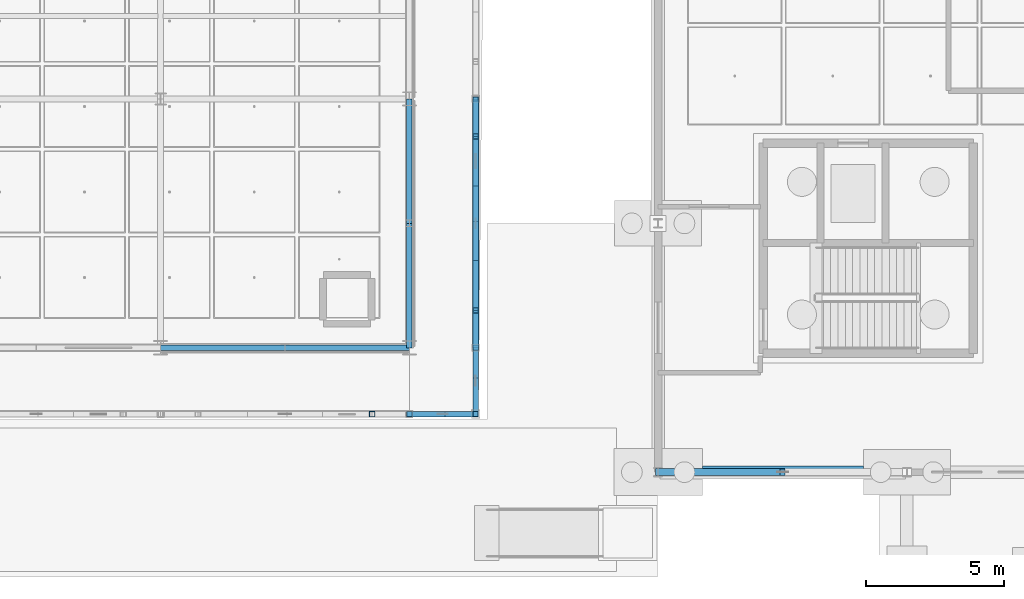
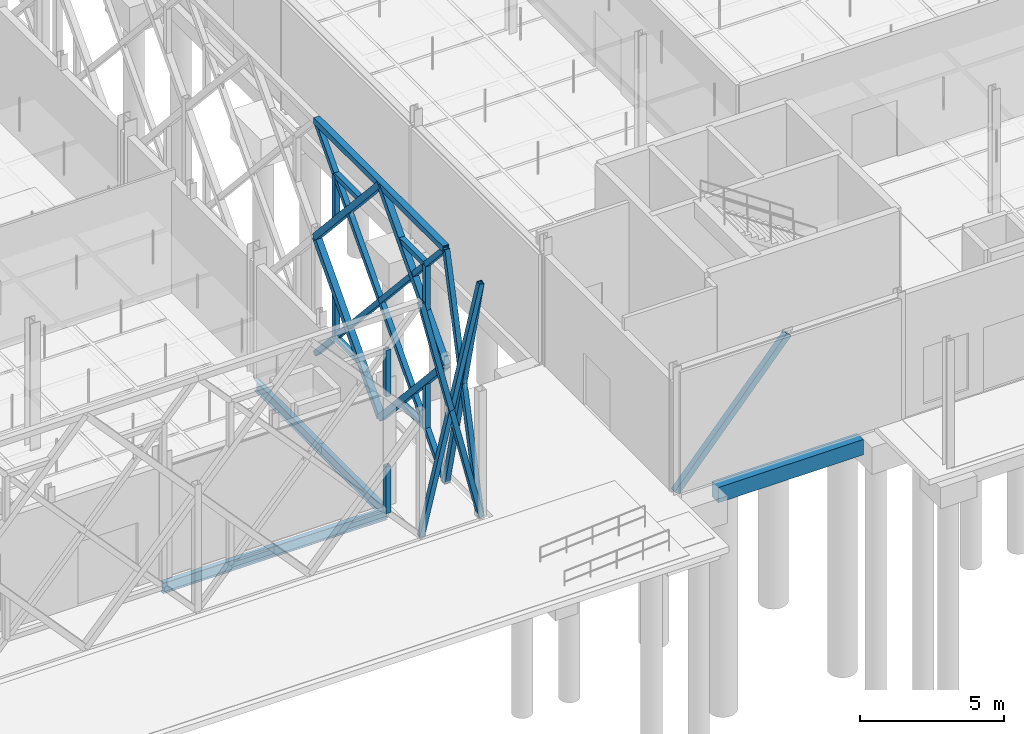
# One storey, part 38 of 180: 29 members, 5 beams.
"""IFC4 building model written with IfcOpenShell, lengths in metres."""

from ifc_helpers import new_model, si_unit, direction, frame, origin, origin_2d, place, context, subcontext, project, spatial, rectangle, hollow_rectangle, i_section, extrude, material, material_profile, profile_set, type_object, element, save


model = new_model("IFC4")

# Units and contexts
model_context = context("Model", 3, precision=1e-05, world=origin(), true_north=direction((0.0, 1.0)))
body_context = subcontext(model_context, "Body", "Model", "MODEL_VIEW")
ifc_project = project(units=[si_unit("LENGTHUNIT", "METRE"), si_unit("AREAUNIT", "SQUARE_METRE"), si_unit("VOLUMEUNIT", "CUBIC_METRE"), si_unit("PLANEANGLEUNIT", "RADIAN"), si_unit("MASSUNIT", "GRAM", prefix="KILO"), si_unit("THERMODYNAMICTEMPERATUREUNIT", "KELVIN"), si_unit("POWERUNIT", "WATT")], contexts=[model_context])

# Site, building, storey
site_placement = place(None, origin())
site = spatial("IfcSite", under=ifc_project, at=site_placement, CompositionType="ELEMENT")
building_placement = place(site_placement, origin())
building = spatial("IfcBuilding", under=site, at=building_placement, Name="Tallowbark Science Centre", CompositionType="ELEMENT")
storey_placement = place(building_placement, origin())
storey = spatial("IfcBuildingStorey", under=building, at=storey_placement, Name="L00", CompositionType="ELEMENT", Elevation=0.0)

# Beam
ifc_material_1 = material(Name="Concrete Grade N40 (40 MPa)", Category="concrete")
ifc_material_profile_1 = material_profile(ifc_material_1, rectangle(XDim=0.449951171875, YDim=0.64990234375, at=origin_2d()), Name="RC450x650")
ifc_profile_set_1 = profile_set([ifc_material_profile_1], Name="Concrete Grade N40 (40 MPa)")
beam_type_1 = type_object("IfcBeamType", Name="BM-GB2-N40", PredefinedType="BEAM", material=ifc_profile_set_1)
beam_placement = place(storey_placement, frame((114.10009765625, 0.0, -0.5849609375), z_axis=(1.0, 0.0, 0.0), x_axis=(0.0, 1.0, 0.0)))
element("IfcBeam", 1, at=beam_placement, inside=storey, type_object=beam_type_1, Name="Ground Tie Beam GBT-X-253", PredefinedType="BEAM", context=body_context, shape_type="SweptSolid", body=[
    extrude(rectangle(XDim=0.449951171875, YDim=0.64990234375, at=origin_2d()), origin(), (0.0, 0.0, 1.0), 5.824951171875),
])

# Members
ifc_material_2 = material(Name="Structural Steel Grade C350L0 (350 MPa)", Category="steel")
ifc_material_profile_2 = material_profile(ifc_material_2, hollow_rectangle(XDim=0.25, YDim=0.25, WallThickness=0.009033203125, at=origin_2d()), Name="250x250x9.0SHS")
ifc_profile_set_2 = profile_set([ifc_material_profile_2], Name="Structural Steel Grade C350L0 (350 MPa)")
member_type_1 = type_object("IfcMemberType", Name="CBF-250SHS", PredefinedType="BRACE", material=ifc_profile_set_2)
member_1_placement = place(storey_placement, frame((112.5, 0.0, 0.0), z_axis=(0.657993936846, 0.0, 0.753023226119), x_axis=(0.0, 1.0, 0.0)))
element("IfcMember", 2, at=member_1_placement, inside=storey, type_object=member_type_1, Name="Concentric Chevron Brace CBF-THT-S1 L00 Left", PredefinedType="BRACE", context=body_context, shape_type="SweptSolid", body=[
    extrude(hollow_rectangle(XDim=0.25, YDim=0.25, WallThickness=0.009033203125, at=origin_2d()), origin(), (0.0, 0.0, 1.0), 6.8388671875),
])
ifc_material_3 = material(Name="White Architectural Painted Steel Grade C350L0 (350 MPa)", Category="steel")
ifc_material_profile_3 = material_profile(ifc_material_3, hollow_rectangle(XDim=0.25, YDim=0.25, WallThickness=0.009033203125, at=origin_2d()), Name="250x250x9.0SHS")
ifc_profile_set_3 = profile_set([ifc_material_profile_3], Name="White Architectural Painted Steel Grade C350L0 (350 MPa)")
member_type_2 = type_object("IfcMemberType", Name="SCR-CHD200", PredefinedType="CHORD", material=ifc_profile_set_3)
member_2_placement = place(storey_placement, frame((105.89990234375, 4.5, 9.89990234375), z_axis=(0.0, 1.0, 0.0), x_axis=(-1.0, 0.0, 0.0)))
element("IfcMember", 3, at=member_2_placement, inside=storey, type_object=member_type_2, Name="Star Screen Frame Chord E-11", PredefinedType="CHORD", context=body_context, shape_type="SweptSolid", body=[
    extrude(hollow_rectangle(XDim=0.25, YDim=0.25, WallThickness=0.009033203125, at=origin_2d()), origin(), (0.0, 0.0, 1.0), 9.0),
])
for number, where, z_axis, x_axis, name in (
    (4, (105.89990234375, 9.0, 0.0), (0.0, 0.672676426978, 0.739936770669), (-1.0, 0.0, 0.0), "Star Screen Octagram Diamond Chord E-11-1"),
    (5, (105.89990234375, 13.5, 4.949951171875), (0.0, -0.672676426978, 0.739936770669), (1.0, 0.0, 0.0), "Star Screen Octagram Diamond Chord E-11-2"),
    (6, (105.89990234375, 9.0, 9.89990234375), (0.0, -0.672676426978, -0.739936770669), (1.0, 0.0, 0.0), "Star Screen Octagram Diamond Chord E-11-3"),
    (7, (105.89990234375, 4.5, 4.949951171875), (0.0, 0.672676426978, -0.739936770669), (-1.0, 0.0, 0.0), "Star Screen Octagram Diamond Chord E-11-4"),
):
    element("IfcMember", number, at=place(storey_placement, frame(where, z_axis=z_axis, x_axis=x_axis)), inside=storey, type_object=member_type_2, Name=name, PredefinedType="CHORD", context=body_context, shape_type="SweptSolid", body=[
        extrude(hollow_rectangle(XDim=0.25, YDim=0.25, WallThickness=0.009033203125, at=origin_2d()), origin(), (0.0, 0.0, 1.0), 6.689697265625),
    ])
ifc_material_profile_4 = material_profile(ifc_material_3, hollow_rectangle(XDim=0.199951171875, YDim=0.199951171875, WallThickness=0.009033203125, at=origin_2d()), Name="200x200x9.0SHS")
ifc_profile_set_4 = profile_set([ifc_material_profile_4], Name="White Architectural Painted Steel Grade C350L0 (350 MPa)")
member_type_3 = type_object("IfcMemberType", Name="SCR-STAR139", PredefinedType="BRACE", material=ifc_profile_set_4)
member_3_placement = place(storey_placement, frame((105.89990234375, 4.5, 0.0), z_axis=(0.0, 0.672658262301, 0.739953283768), x_axis=(-1.0, 0.0, 0.0)))
element("IfcMember", 8, at=member_3_placement, inside=storey, type_object=member_type_3, Name="Star Screen Continuous X-Diagonal D1A E-11", PredefinedType="BRACE", context=body_context, shape_type="SweptSolid", body=[
    extrude(hollow_rectangle(XDim=0.199951171875, YDim=0.199951171875, WallThickness=0.009033203125, at=origin_2d()), origin(), (0.0, 0.0, 1.0), 3.344970703125),
])
member_4_placement = place(storey_placement, frame((105.89990234375, 6.75, 2.47509765625), z_axis=(0.0, 0.672676426978, 0.739936770669), x_axis=(-1.0, 0.0, 0.0)))
element("IfcMember", 9, at=member_4_placement, inside=storey, type_object=member_type_3, Name="Star Screen Continuous X-Diagonal D1M E-11", PredefinedType="BRACE", context=body_context, shape_type="SweptSolid", body=[
    extrude(hollow_rectangle(XDim=0.199951171875, YDim=0.199951171875, WallThickness=0.009033203125, at=origin_2d()), origin(), (0.0, 0.0, 1.0), 6.689697265625),
])
for number, where, z_axis, x_axis, name in (
    (10, (105.89990234375, 11.25, 7.425048828125), (0.0, 0.672694592231, 0.739920256233), (-1.0, 0.0, 0.0), "Star Screen Continuous X-Diagonal D1B E-11"),
    (11, (105.89990234375, 4.5, 9.89990234375), (0.0, 0.672694592231, -0.739920256233), (-1.0, 0.0, 0.0), "Star Screen Split X-Diagonal D2A E-11"),
):
    element("IfcMember", number, at=place(storey_placement, frame(where, z_axis=z_axis, x_axis=x_axis)), inside=storey, type_object=member_type_3, Name=name, PredefinedType="BRACE", context=body_context, shape_type="SweptSolid", body=[
        extrude(hollow_rectangle(XDim=0.199951171875, YDim=0.199951171875, WallThickness=0.009033203125, at=origin_2d()), origin(), (0.0, 0.0, 1.0), 3.3447265625),
    ])
member_5_placement = place(storey_placement, frame((105.89990234375, 6.75, 7.425048828125), z_axis=(0.0, 0.672658262301, -0.739953283768), x_axis=(-1.0, 0.0, 0.0)))
element("IfcMember", 12, at=member_5_placement, inside=storey, type_object=member_type_3, Name="Star Screen Split X-Diagonal D2B E-11", PredefinedType="BRACE", context=body_context, shape_type="SweptSolid", body=[
    extrude(hollow_rectangle(XDim=0.199951171875, YDim=0.199951171875, WallThickness=0.009033203125, at=origin_2d()), origin(), (0.0, 0.0, 1.0), 3.344970703125),
])
member_6_placement = place(storey_placement, frame((105.89990234375, 9.0, 4.949951171875), z_axis=(0.0, 0.672694592231, -0.739920256233), x_axis=(-1.0, 0.0, 0.0)))
element("IfcMember", 13, at=member_6_placement, inside=storey, type_object=member_type_3, Name="Star Screen Split X-Diagonal D2C E-11", PredefinedType="BRACE", context=body_context, shape_type="SweptSolid", body=[
    extrude(hollow_rectangle(XDim=0.199951171875, YDim=0.199951171875, WallThickness=0.009033203125, at=origin_2d()), origin(), (0.0, 0.0, 1.0), 3.3447265625),
])
member_7_placement = place(storey_placement, frame((105.89990234375, 11.25, 2.47509765625), z_axis=(0.0, 0.672658262301, -0.739953283768), x_axis=(-1.0, 0.0, 0.0)))
element("IfcMember", 14, at=member_7_placement, inside=storey, type_object=member_type_3, Name="Star Screen Split X-Diagonal D2D E-11", PredefinedType="BRACE", context=body_context, shape_type="SweptSolid", body=[
    extrude(hollow_rectangle(XDim=0.199951171875, YDim=0.199951171875, WallThickness=0.009033203125, at=origin_2d()), origin(), (0.0, 0.0, 1.0), 3.344970703125),
])
member_8_placement = place(storey_placement, frame((103.5, 2.10009765625, 0.0), z_axis=(0.235593166094, 0.0, 0.971851768579), x_axis=(0.0, 1.0, 0.0)))
element("IfcMember", 15, at=member_8_placement, inside=storey, type_object=member_type_3, Name="Star Screen Corner Continuous Diagonal SEX-L00", PredefinedType="BRACE", context=body_context, shape_type="SweptSolid", body=[
    extrude(hollow_rectangle(XDim=0.199951171875, YDim=0.199951171875, WallThickness=0.009033203125, at=origin_2d()), origin(), (0.0, 0.0, 1.0), 10.1865234375),
])
for number, where, z_axis, x_axis, name in (
    (16, (105.89990234375, 2.10009765625, 0.0), (-0.235593166094, 0.0, 0.971851768579), (0.0, -1.0, 0.0), "Star Screen Corner Split Diagonal A SEX-L00"),
    (17, (104.699951171875, 2.10009765625, 4.949951171875), (-0.235593166094, 0.0, 0.971851768579), (0.0, -1.0, 0.0), "Star Screen Corner Split Diagonal B SEX-L00"),
):
    element("IfcMember", number, at=place(storey_placement, frame(where, z_axis=z_axis, x_axis=x_axis)), inside=storey, type_object=member_type_3, Name=name, PredefinedType="BRACE", context=body_context, shape_type="SweptSolid", body=[
        extrude(hollow_rectangle(XDim=0.199951171875, YDim=0.199951171875, WallThickness=0.009033203125, at=origin_2d()), origin(), (0.0, 0.0, 1.0), 5.09326171875),
    ])
member_9_placement = place(storey_placement, frame((105.89990234375, 2.10009765625, 0.0), z_axis=(0.0, 0.235593166094, 0.971851768579), x_axis=(-1.0, 0.0, 0.0)))
element("IfcMember", 18, at=member_9_placement, inside=storey, type_object=member_type_3, Name="Star Screen Corner Continuous Diagonal SEY-L00", PredefinedType="BRACE", context=body_context, shape_type="SweptSolid", body=[
    extrude(hollow_rectangle(XDim=0.199951171875, YDim=0.199951171875, WallThickness=0.009033203125, at=origin_2d()), origin(), (0.0, 0.0, 1.0), 10.1865234375),
])
for number, where, z_axis, x_axis, name in (
    (19, (105.89990234375, 4.5, 0.0), (0.0, -0.235593166094, 0.971851768579), (1.0, 0.0, 0.0), "Star Screen Corner Split Diagonal A SEY-L00"),
    (20, (105.89990234375, 3.300048828125, 4.949951171875), (0.0, -0.235593166094, 0.971851768579), (1.0, 0.0, 0.0), "Star Screen Corner Split Diagonal B SEY-L00"),
):
    element("IfcMember", number, at=place(storey_placement, frame(where, z_axis=z_axis, x_axis=x_axis)), inside=storey, type_object=member_type_3, Name=name, PredefinedType="BRACE", context=body_context, shape_type="SweptSolid", body=[
        extrude(hollow_rectangle(XDim=0.199951171875, YDim=0.199951171875, WallThickness=0.009033203125, at=origin_2d()), origin(), (0.0, 0.0, 1.0), 5.09326171875),
    ])
ifc_material_profile_5 = material_profile(ifc_material_3, hollow_rectangle(XDim=0.199951171875, YDim=0.199951171875, WallThickness=0.009033203125, at=origin_2d()), Name="200x200x9.0SHS")
ifc_profile_set_5 = profile_set([ifc_material_profile_5], Name="White Architectural Painted Steel Grade C350L0 (350 MPa)")
member_type_4 = type_object("IfcMemberType", Name="SCR-SUB150", PredefinedType="BRACE", material=ifc_profile_set_5)
for number, where, z_axis, x_axis, name in (
    (21, (102.14990234375, 2.10009765625, 1.485107421875), (0.0, 0.0, 1.0), (1.0, 0.0, 0.0), "Star Screen Octagram Point Ray S-8-4"),
    (22, (102.14990234375, 2.10009765625, 8.4150390625), (0.0, 0.0, -1.0), (1.0, 0.0, 0.0), "Star Screen Octagram Point Ray S-8-6"),
):
    element("IfcMember", number, at=place(storey_placement, frame(where, z_axis=z_axis, x_axis=x_axis)), inside=storey, type_object=member_type_4, Name=name, PredefinedType="BRACE", context=body_context, shape_type="SweptSolid", body=[
        extrude(hollow_rectangle(XDim=0.199951171875, YDim=0.199951171875, WallThickness=0.009033203125, at=origin_2d()), origin(), (0.0, 0.0, 1.0), 1.97998046875),
    ])
member_10_placement = place(storey_placement, frame((105.89990234375, 5.85009765625, 1.485107421875), z_axis=(0.0, 1.0, 0.0), x_axis=(-1.0, 0.0, 0.0)))
element("IfcMember", 23, at=member_10_placement, inside=storey, type_object=member_type_4, Name="Star Screen Octagram Point Ray E-11-1", PredefinedType="BRACE", context=body_context, shape_type="SweptSolid", body=[
    extrude(hollow_rectangle(XDim=0.199951171875, YDim=0.199951171875, WallThickness=0.009033203125, at=origin_2d()), origin(), (0.0, 0.0, 1.0), 1.7998046875),
])
member_11_placement = place(storey_placement, frame((105.89990234375, 5.85009765625, 1.485107421875), z_axis=(0.0, 0.0, 1.0), x_axis=(1.0, 0.0, 0.0)))
element("IfcMember", 24, at=member_11_placement, inside=storey, type_object=member_type_4, Name="Star Screen Octagram Point Ray E-11-2", PredefinedType="BRACE", context=body_context, shape_type="SweptSolid", body=[
    extrude(hollow_rectangle(XDim=0.199951171875, YDim=0.199951171875, WallThickness=0.009033203125, at=origin_2d()), origin(), (0.0, 0.0, 1.0), 1.97998046875),
])
member_12_placement = place(storey_placement, frame((105.89990234375, 12.14990234375, 1.485107421875), z_axis=(0.0, -1.0, 0.0), x_axis=(1.0, 0.0, 0.0)))
element("IfcMember", 25, at=member_12_placement, inside=storey, type_object=member_type_4, Name="Star Screen Octagram Point Ray E-11-3", PredefinedType="BRACE", context=body_context, shape_type="SweptSolid", body=[
    extrude(hollow_rectangle(XDim=0.199951171875, YDim=0.199951171875, WallThickness=0.009033203125, at=origin_2d()), origin(), (0.0, 0.0, 1.0), 1.7998046875),
])
member_13_placement = place(storey_placement, frame((105.89990234375, 12.14990234375, 1.485107421875), z_axis=(0.0, 0.0, 1.0), x_axis=(1.0, 0.0, 0.0)))
element("IfcMember", 26, at=member_13_placement, inside=storey, type_object=member_type_4, Name="Star Screen Octagram Point Ray E-11-4", PredefinedType="BRACE", context=body_context, shape_type="SweptSolid", body=[
    extrude(hollow_rectangle(XDim=0.199951171875, YDim=0.199951171875, WallThickness=0.009033203125, at=origin_2d()), origin(), (0.0, 0.0, 1.0), 1.97998046875),
])
member_14_placement = place(storey_placement, frame((105.89990234375, 12.14990234375, 8.4150390625), z_axis=(0.0, -1.0, 0.0), x_axis=(1.0, 0.0, 0.0)))
element("IfcMember", 27, at=member_14_placement, inside=storey, type_object=member_type_4, Name="Star Screen Octagram Point Ray E-11-5", PredefinedType="BRACE", context=body_context, shape_type="SweptSolid", body=[
    extrude(hollow_rectangle(XDim=0.199951171875, YDim=0.199951171875, WallThickness=0.009033203125, at=origin_2d()), origin(), (0.0, 0.0, 1.0), 1.7998046875),
])
member_15_placement = place(storey_placement, frame((105.89990234375, 12.14990234375, 8.4150390625), z_axis=(0.0, 0.0, -1.0), x_axis=(1.0, 0.0, 0.0)))
element("IfcMember", 28, at=member_15_placement, inside=storey, type_object=member_type_4, Name="Star Screen Octagram Point Ray E-11-6", PredefinedType="BRACE", context=body_context, shape_type="SweptSolid", body=[
    extrude(hollow_rectangle(XDim=0.199951171875, YDim=0.199951171875, WallThickness=0.009033203125, at=origin_2d()), origin(), (0.0, 0.0, 1.0), 1.97998046875),
])
member_16_placement = place(storey_placement, frame((105.89990234375, 5.85009765625, 8.4150390625), z_axis=(0.0, 1.0, 0.0), x_axis=(-1.0, 0.0, 0.0)))
element("IfcMember", 29, at=member_16_placement, inside=storey, type_object=member_type_4, Name="Star Screen Octagram Point Ray E-11-7", PredefinedType="BRACE", context=body_context, shape_type="SweptSolid", body=[
    extrude(hollow_rectangle(XDim=0.199951171875, YDim=0.199951171875, WallThickness=0.009033203125, at=origin_2d()), origin(), (0.0, 0.0, 1.0), 1.7998046875),
])
member_17_placement = place(storey_placement, frame((105.89990234375, 5.85009765625, 8.4150390625), z_axis=(0.0, 0.0, -1.0), x_axis=(1.0, 0.0, 0.0)))
element("IfcMember", 30, at=member_17_placement, inside=storey, type_object=member_type_4, Name="Star Screen Octagram Point Ray E-11-8", PredefinedType="BRACE", context=body_context, shape_type="SweptSolid", body=[
    extrude(hollow_rectangle(XDim=0.199951171875, YDim=0.199951171875, WallThickness=0.009033203125, at=origin_2d()), origin(), (0.0, 0.0, 1.0), 1.97998046875),
])

# Beams
ifc_material_4 = material(Name="Structural Steel Grade 300PLUS (300 MPa)", Category="steel")
ifc_material_profile_6 = material_profile(ifc_material_4, i_section(OverallWidth=0.18994140625, OverallDepth=0.453857421875, WebThickness=0.008544921875, FlangeThickness=0.0126953125, FilletRadius=0.011474609375, at=origin_2d()), Name="460UB67.1")
ifc_profile_set_6 = profile_set([ifc_material_profile_6], Name="Structural Steel Grade 300PLUS (300 MPa)")
beam_type_2 = type_object("IfcBeamType", Name="SPN-UB460", PredefinedType="SPANDREL", material=ifc_profile_set_6)
for number, where, z_axis, x_axis, name in (
    (31, (94.5, 4.5, -0.491943359375), (1.0, 0.0, 0.0), (0.0, 1.0, 0.0), "Primary Girder GRDX-L00-945-990-45"),
    (32, (99.0, 4.5, -0.491943359375), (1.0, 0.0, 0.0), (0.0, 1.0, 0.0), "Primary Girder GRDX-L00-990-1035-45"),
    (33, (103.5, 4.5, -0.491943359375), (0.0, 1.0, 0.0), (-1.0, 0.0, 0.0), "Primary Girder GRDY-L00-1035-45-90"),
    (34, (103.5, 9.0, -0.491943359375), (0.0, 1.0, 0.0), (-1.0, 0.0, 0.0), "Primary Girder GRDY-L00-1035-90-135"),
):
    element("IfcBeam", number, at=place(storey_placement, frame(where, z_axis=z_axis, x_axis=x_axis)), inside=storey, type_object=beam_type_2, Name=name, PredefinedType="SPANDREL", context=body_context, shape_type="SweptSolid", body=[
        extrude(i_section(OverallWidth=0.18994140625, OverallDepth=0.453857421875, WebThickness=0.008544921875, FlangeThickness=0.0126953125, FilletRadius=0.011474609375, at=origin_2d()), origin(), (0.0, 0.0, 1.0), 4.5),
    ])

save(model, "model.ifc")
